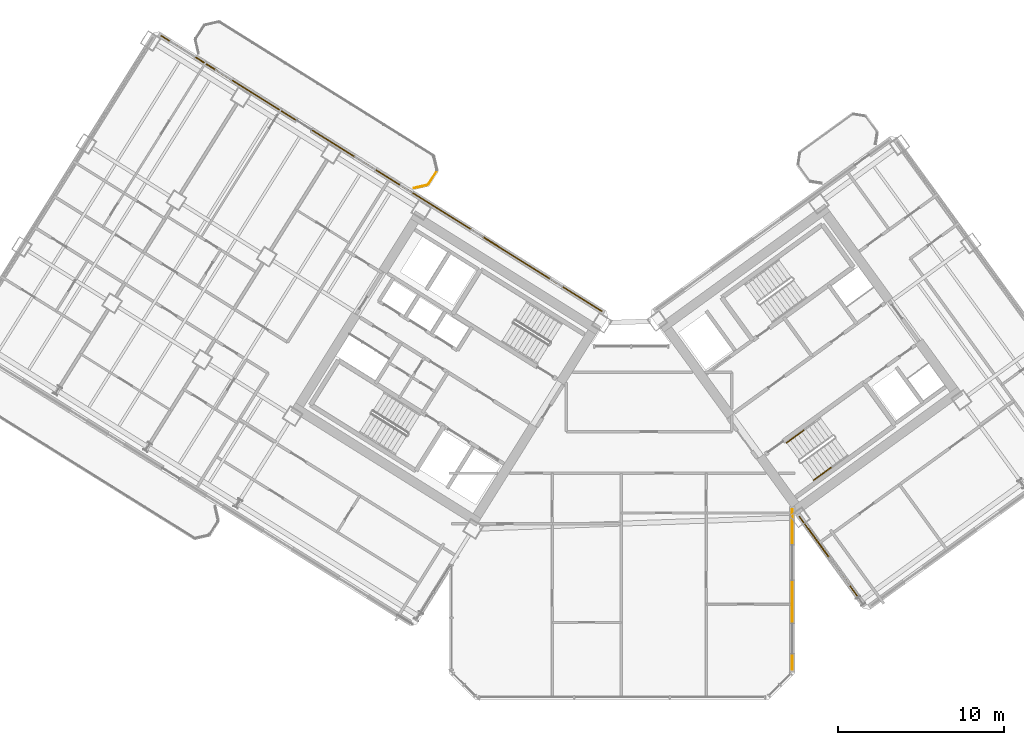
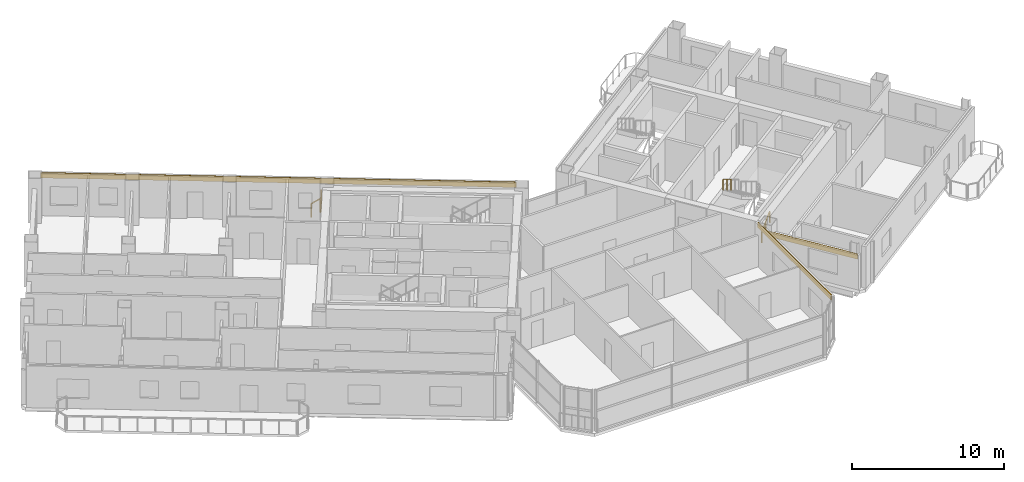
# One storey, part 26 of 29: 4 railings, 3 coverings.
"""IFC4 building model written with IfcOpenShell, lengths in metres."""

from ifc_helpers import new_model, si_unit, direction, frame, origin, origin_2d, place, context, subcontext, project, spatial, rectangle, extrude, source, transform, mapped, material, layer, layer_set, type_object, element, save


model = new_model("IFC4")

# Units and contexts
model_context = context("Model", 3, precision=1e-05, world=origin(), true_north=direction((0.0, 1.0)))
body_context = subcontext(model_context, "Body", "Model", "MODEL_VIEW")
ifc_project = project(units=[si_unit("LENGTHUNIT", "METRE"), si_unit("AREAUNIT", "SQUARE_METRE"), si_unit("VOLUMEUNIT", "CUBIC_METRE"), si_unit("PLANEANGLEUNIT", "RADIAN"), si_unit("MASSUNIT", "GRAM", prefix="KILO")], contexts=[model_context])

# Site, building, storey
site_placement = place(None, origin())
site = spatial("IfcSite", under=ifc_project, at=site_placement, CompositionType="ELEMENT")
building_placement = place(site_placement, origin())
building = spatial("IfcBuilding", under=site, at=building_placement, Name="Tlacorven Tower", CompositionType="ELEMENT")
storey_placement = place(building_placement, frame((0.0, 0.0, 158.699951171875)))
storey = spatial("IfcBuildingStorey", under=building, at=storey_placement, Name="L40", CompositionType="ELEMENT", Elevation=158.699951171875)

# Railings
ifc_material_1 = material(Name="Aluminium and painted steel balustrade", Category="steel")
railing_type_1 = type_object("IfcRailingType", Name="RL-BAL-1100", PredefinedType="BALUSTRADE", material=ifc_material_1)
shared_shape_1 = source(origin(), body_context, "Body", "SweptSolid", [
    extrude(rectangle(XDim=0.048095703125, YDim=0.048095703125, at=origin_2d()), frame((0.0, 0.0, 1.076171875), z_axis=(-0.52987865805, -0.848073468364, 0.0), x_axis=(0.848073468364, -0.52987865805, 0.0)), (0.0, 0.0, 1.0), 0.912353515625),
    extrude(rectangle(XDim=0.0419921875, YDim=0.0419921875, at=origin_2d()), origin(), (0.0, 0.0, 1.0), 1.052001953125),
    extrude(rectangle(XDim=0.0419921875, YDim=0.0419921875, at=origin_2d()), frame((-0.4833984375, -0.773681640625, 0.0)), (0.0, 0.0, 1.0), 1.052001953125),
])
railing_1_placement = place(storey_placement, frame((30.845947265625, 33.588623046875, 0.0)))
element("IfcRailing", 1, at=railing_1_placement, inside=storey, type_object=railing_type_1, Name="BAL-L40-W-IN Guard Railing 2", PredefinedType="BALUSTRADE", context=body_context, shape_type="MappedRepresentation", body=[
    mapped(shared_shape_1, transform((0.0, 0.0, 0.0), scale=1.0)),
])
shared_shape_2 = source(origin(), body_context, "Body", "SweptSolid", [
    extrude(rectangle(XDim=0.048095703125, YDim=0.048095703125, at=origin_2d()), frame((0.0, 0.0, 1.076171875), z_axis=(-0.974345290916, -0.225058334816, 0.0), x_axis=(0.225058334816, -0.974345290916, 0.0)), (0.0, 0.0, 1.0), 0.80712890625),
    extrude(rectangle(XDim=0.0419921875, YDim=0.0419921875, at=origin_2d()), origin(), (0.0, 0.0, 1.0), 1.052001953125),
    extrude(rectangle(XDim=0.0419921875, YDim=0.0419921875, at=origin_2d()), frame((-0.786376953125, -0.181640625, 0.0)), (0.0, 0.0, 1.0), 1.052001953125),
])
railing_2_placement = place(storey_placement, frame((30.287353515625, 32.761474609375, 0.0)))
element("IfcRailing", 2, at=railing_2_placement, inside=storey, type_object=railing_type_1, Name="BAL-L40-W-IN Guard Railing 3", PredefinedType="BALUSTRADE", context=body_context, shape_type="MappedRepresentation", body=[
    mapped(shared_shape_2, transform((0.0, 0.0, 0.0), scale=1.0)),
])

# Coverings
ifc_material_2 = material(Name="Precast concrete C45/55", Category="concrete")
ifc_layer = layer(ifc_material_2, 0.06005859375)
ifc_layer_set = layer_set([ifc_layer], Name="Precast concrete C45/55")
covering_type = type_object("IfcCoveringType", Name="CV-CLD-TERC", PredefinedType="CLADDING", material=ifc_layer_set)
shared_shape_3 = source(origin(), body_context, "Body", "SweptSolid", [
    extrude(rectangle(XDim=31.287353515625, YDim=0.06005859375, at=origin_2d()), origin(), (0.0, 0.0, 1.0), 0.419921875),
])
covering_1_placement = place(storey_placement, frame((27.5322265625, 33.455810546875, 2.93017578125), z_axis=(0.0, 0.0, 1.0), x_axis=(0.84804812172, -0.529919223323, 0.0)))
element("IfcCovering", 3, at=covering_1_placement, inside=storey, type_object=covering_type, Name="L40 Masonry-Frame Spandrel Cladding 3", PredefinedType="CLADDING", context=body_context, shape_type="MappedRepresentation", body=[
    mapped(shared_shape_3, transform((0.0, 0.0, 0.0), scale=1.0)),
])
shared_shape_4 = source(origin(), body_context, "Body", "SweptSolid", [
    extrude(rectangle(XDim=9.647705078125, YDim=0.06005859375, at=origin_2d()), origin(), (0.0, 0.0, 1.0), 0.419921875),
])
covering_2_placement = place(storey_placement, frame((52.239990234375, 8.440185546875, 2.93017578125), z_axis=(0.0, 0.0, 1.0), x_axis=(0.0, -1.0, 0.0)))
element("IfcCovering", 4, at=covering_2_placement, inside=storey, type_object=covering_type, Name="L40 Masonry-Frame Spandrel Cladding 8", PredefinedType="CLADDING", context=body_context, shape_type="MappedRepresentation", body=[
    mapped(shared_shape_4, transform((0.0, 0.0, 0.0), scale=1.0)),
])
shared_shape_5 = source(origin(), body_context, "Body", "SweptSolid", [
    extrude(rectangle(XDim=6.523681640625, YDim=0.06005859375, at=origin_2d()), origin(), (0.0, 0.0, 1.0), 0.419921875),
])
covering_3_placement = place(storey_placement, frame((54.57568359375, 10.19921875, 2.35498046875), z_axis=(0.0, 0.0, 1.0), x_axis=(-0.587785622053, 0.809016725728, 0.0)))
element("IfcCovering", 5, at=covering_3_placement, inside=storey, type_object=covering_type, Name="L40 Masonry-Frame Spandrel Cladding 7", PredefinedType="CLADDING", context=body_context, shape_type="MappedRepresentation", body=[
    mapped(shared_shape_5, transform((0.0, 0.0, 0.0), scale=1.0)),
])

# Railings
railing_type_2 = type_object("IfcRailingType", Name="RL-HND-0900", PredefinedType="HANDRAIL", material=ifc_material_1)
shared_shape_6 = source(origin(), body_context, "Body", "SweptSolid", [
    extrude(rectangle(XDim=0.048095703125, YDim=0.048095703125, at=origin_2d()), frame((0.0, 0.0, 0.8759765625), z_axis=(-0.680461216233, -0.494495647917, 0.540783309093), x_axis=(0.587872112667, -0.808953879494, 0.0)), (0.0, 0.0, 1.0), 1.498046875),
    extrude(rectangle(XDim=0.0419921875, YDim=0.0419921875, at=origin_2d()), origin(), (0.0, 0.0, 1.0), 0.851806640625),
    extrude(rectangle(XDim=0.0419921875, YDim=0.0419921875, at=origin_2d()), frame((-0.509765625, -0.370361328125, 0.405029296875)), (0.0, 0.0, 1.0), 0.851806640625),
    extrude(rectangle(XDim=0.0419921875, YDim=0.0419921875, at=origin_2d()), frame((-1.019287109375, -0.74072265625, 0.81005859375)), (0.0, 0.0, 1.0), 0.851806640625),
])
railing_3_placement = place(storey_placement, frame((52.9189453125, 18.0087890625, 2.7900390625)))
element("IfcRailing", 6, at=railing_3_placement, inside=storey, type_object=railing_type_2, Name="L40 ST-E2 stair handrail 4", PredefinedType="HANDRAIL", context=body_context, shape_type="MappedRepresentation", body=[
    mapped(shared_shape_6, transform((0.0, 0.0, 0.0), scale=1.0)),
])
shared_shape_7 = source(origin(), body_context, "Body", "SweptSolid", [
    extrude(rectangle(XDim=0.048095703125, YDim=0.048095703125, at=origin_2d()), frame((0.0, 0.0, 0.8759765625), z_axis=(0.680461216233, 0.494495647917, 0.540783309093), x_axis=(-0.587872112667, 0.808953879494, 0.0)), (0.0, 0.0, 1.0), 1.498046875),
    extrude(rectangle(XDim=0.0419921875, YDim=0.0419921875, at=origin_2d()), origin(), (0.0, 0.0, 1.0), 0.851806640625),
    extrude(rectangle(XDim=0.0419921875, YDim=0.0419921875, at=origin_2d()), frame((0.509765625, 0.370361328125, 0.405029296875)), (0.0, 0.0, 1.0), 0.851806640625),
    extrude(rectangle(XDim=0.0419921875, YDim=0.0419921875, at=origin_2d()), frame((1.019287109375, 0.74072265625, 0.81005859375)), (0.0, 0.0, 1.0), 0.851806640625),
])
railing_4_placement = place(storey_placement, frame((53.53369140625, 15.01904296875, 0.179931640625)))
element("IfcRailing", 7, at=railing_4_placement, inside=storey, type_object=railing_type_2, Name="L40 ST-E2 stair handrail 1", PredefinedType="HANDRAIL", context=body_context, shape_type="MappedRepresentation", body=[
    mapped(shared_shape_7, transform((0.0, 0.0, 0.0), scale=1.0)),
])

save(model, "model.ifc")
